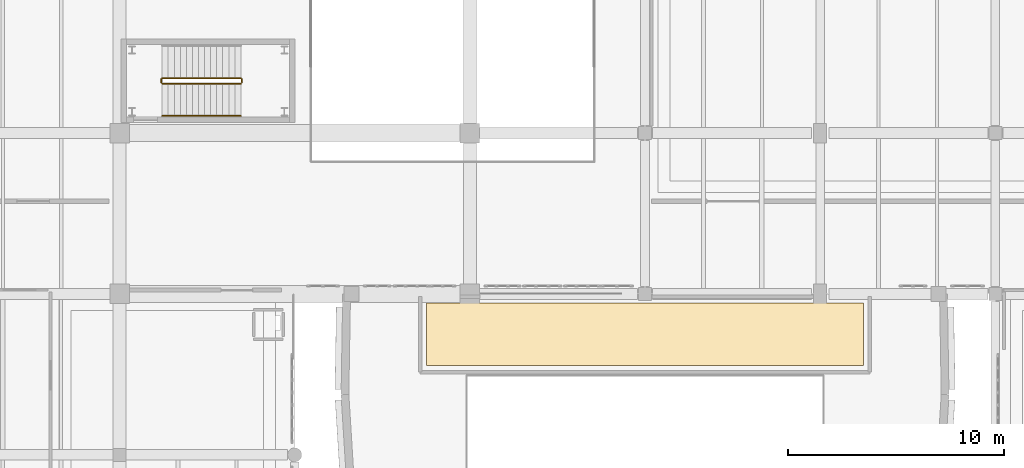
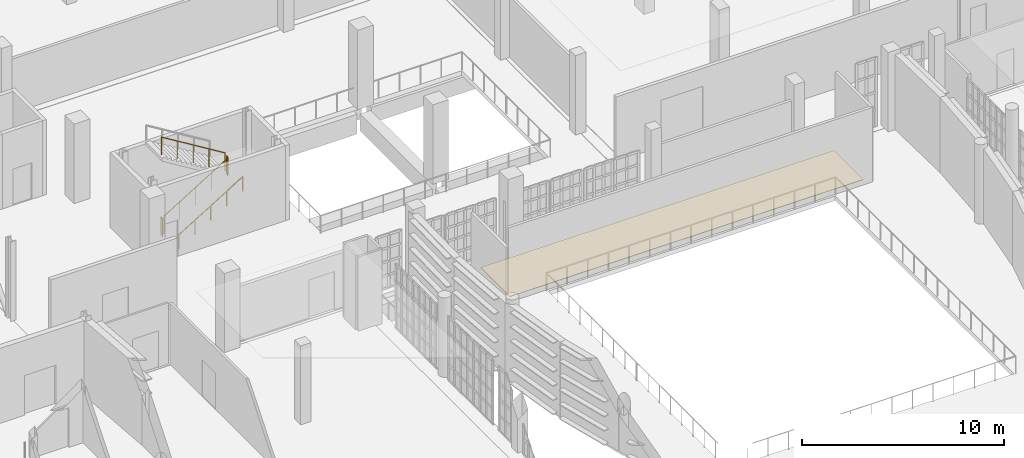
# One storey, part 100 of 104: 5 railings, 1 covering.
"""IFC4 building model written with IfcOpenShell, lengths in metres."""

from ifc_helpers import new_model, si_unit, direction, frame, origin, origin_2d, place, context, subcontext, project, spatial, polyline, circle, outline, extrude, material, layer, layer_set, type_object, element, save


model = new_model("IFC4")

# Units and contexts
model_context = context("Model", 3, precision=1e-05, world=origin(), true_north=direction((0.0, 1.0)))
body_context = subcontext(model_context, "Body", "Model", "MODEL_VIEW")
ifc_project = project(units=[si_unit("LENGTHUNIT", "METRE"), si_unit("AREAUNIT", "SQUARE_METRE"), si_unit("VOLUMEUNIT", "CUBIC_METRE"), si_unit("PLANEANGLEUNIT", "RADIAN"), si_unit("MASSUNIT", "GRAM", prefix="KILO")], contexts=[model_context])

# Site, building, storey
site_placement = place(None, origin())
site = spatial("IfcSite", under=ifc_project, at=site_placement, CompositionType="ELEMENT")
building_placement = place(site_placement, origin())
building = spatial("IfcBuilding", under=site, at=building_placement, Name="Kaelora Sail Theatre", CompositionType="ELEMENT")
storey_placement = place(building_placement, frame((0.0, 0.0, 5.39990234375)))
storey = spatial("IfcBuildingStorey", under=building, at=storey_placement, Name="L01", CompositionType="ELEMENT", Elevation=5.39990234375)

# Covering
ifc_material_1 = material(Name="Sprung West African iroko stage and dance floor", Category="timber")
ifc_layer = layer(ifc_material_1, 0.028076171875)
ifc_layer_set = layer_set([ifc_layer], Name="Sprung West African iroko stage and dance floor")
covering_type = type_object("IfcCoveringType", Name="ARC-COV-FLR-OAK-28", PredefinedType="FLOORING", material=ifc_layer_set)
covering_placement = place(storey_placement, origin())
element("IfcCovering", 1, at=covering_placement, inside=storey, type_object=covering_type, Name="Architectural flooring L01-GAL-STUD", PredefinedType="FLOORING", context=body_context, shape_type="SweptSolid", body=[
    extrude(outline(polyline([(80.5, 57.699951171875), (100.699951171875, 57.699951171875), (100.699951171875, 60.60009765625), (80.5, 60.60009765625), (80.5, 57.699951171875)])), origin(), (0.0, 0.0, 1.0), 0.028076171875),
])

# Railings
ifc_material_2 = material(Name="Painted steel and laminated safety glass guard", Category="steel")
railing_type_1 = type_object("IfcRailingType", Name="ARC-RL-GRD", PredefinedType="GUARDRAIL", material=ifc_material_2)
railing_1_placement = place(storey_placement, frame((68.27001953125, 70.75, 0.171630859375)))
element("IfcRailing", 2, at=railing_1_placement, inside=storey, type_object=railing_type_1, Name="L01 ST-F1 stair guard 1", PredefinedType="GUARDRAIL", context=body_context, shape_type="SweptSolid", body=[
    extrude(circle(Radius=0.02392578125, at=origin_2d()), frame((0.0, 0.0, 1.076171875), z_axis=(0.852850264322, 0.0, 0.5221555579), x_axis=(0.0, 1.0, 0.0)), (0.0, 0.0, 1.0), 4.267822265625),
    extrude(circle(Radius=0.02099609375, at=origin_2d()), origin(), (0.0, 0.0, 1.0), 1.052001953125),
    extrude(circle(Radius=0.02099609375, at=origin_2d()), frame((0.909912109375, 0.0, 0.55712890625)), (0.0, 0.0, 1.0), 1.052001953125),
    extrude(circle(Radius=0.02099609375, at=origin_2d()), frame((1.81982421875, 0.0, 1.1142578125)), (0.0, 0.0, 1.0), 1.052001953125),
    extrude(circle(Radius=0.02099609375, at=origin_2d()), frame((2.72998046875, 0.0, 1.67138671875)), (0.0, 0.0, 1.0), 1.052001953125),
    extrude(circle(Radius=0.02099609375, at=origin_2d()), frame((3.639892578125, 0.0, 2.228515625)), (0.0, 0.0, 1.0), 1.052001953125),
])
railing_2_placement = place(storey_placement, frame((71.9599609375, 70.800048828125, 2.400146484375)))
element("IfcRailing", 3, at=railing_2_placement, inside=storey, type_object=railing_type_1, Name="L01 ST-F1 stair guard 2", PredefinedType="GUARDRAIL", context=body_context, shape_type="SweptSolid", body=[
    extrude(circle(Radius=0.02392578125, at=origin_2d()), frame((0.0, 0.0, 1.076171875), z_axis=(0.0, 1.0, 0.0), x_axis=(-1.0, 0.0, 0.0)), (0.0, 0.0, 1.0), 0.14990234375),
    extrude(circle(Radius=0.02099609375, at=origin_2d()), origin(), (0.0, 0.0, 1.0), 1.052001953125),
    extrude(circle(Radius=0.02099609375, at=origin_2d()), frame((0.0, 0.14990234375, 0.0)), (0.0, 0.0, 1.0), 1.052001953125),
])
railing_3_placement = place(storey_placement, frame((71.909912109375, 71.0, 2.571533203125)))
element("IfcRailing", 4, at=railing_3_placement, inside=storey, type_object=railing_type_1, Name="L01 ST-F1 stair guard 3", PredefinedType="GUARDRAIL", context=body_context, shape_type="SweptSolid", body=[
    extrude(circle(Radius=0.02392578125, at=origin_2d()), frame((0.0, 0.0, 1.076171875), z_axis=(-0.852850264322, 0.0, 0.5221555579), x_axis=(0.0, -1.0, 0.0)), (0.0, 0.0, 1.0), 4.267822265625),
    extrude(circle(Radius=0.02099609375, at=origin_2d()), origin(), (0.0, 0.0, 1.0), 1.052001953125),
    extrude(circle(Radius=0.02099609375, at=origin_2d()), frame((-0.909912109375, 0.0, 0.55712890625)), (0.0, 0.0, 1.0), 1.052001953125),
    extrude(circle(Radius=0.02099609375, at=origin_2d()), frame((-1.81982421875, 0.0, 1.1142578125)), (0.0, 0.0, 1.0), 1.052001953125),
    extrude(circle(Radius=0.02099609375, at=origin_2d()), frame((-2.72998046875, 0.0, 1.67138671875)), (0.0, 0.0, 1.0), 1.052001953125),
    extrude(circle(Radius=0.02099609375, at=origin_2d()), frame((-3.639892578125, 0.0, 2.228515625)), (0.0, 0.0, 1.0), 1.052001953125),
])
railing_4_placement = place(storey_placement, frame((68.219970703125, 70.800048828125, 0.0)))
element("IfcRailing", 5, at=railing_4_placement, inside=storey, type_object=railing_type_1, Name="L01 ST-F1 stair guard 4", PredefinedType="GUARDRAIL", context=body_context, shape_type="SweptSolid", body=[
    extrude(circle(Radius=0.02392578125, at=origin_2d()), frame((0.0, 0.0, 1.076171875), z_axis=(0.0, 1.0, 0.0), x_axis=(-1.0, 0.0, 0.0)), (0.0, 0.0, 1.0), 0.14990234375),
    extrude(circle(Radius=0.02099609375, at=origin_2d()), origin(), (0.0, 0.0, 1.0), 1.052001953125),
    extrude(circle(Radius=0.02099609375, at=origin_2d()), frame((0.0, 0.14990234375, 0.0)), (0.0, 0.0, 1.0), 1.052001953125),
])
ifc_material_3 = material(Name="Brushed stainless steel 316L tubular handrail", Category="steel")
railing_type_2 = type_object("IfcRailingType", Name="ARC-RL-HND", PredefinedType="HANDRAIL", material=ifc_material_3)
railing_5_placement = place(storey_placement, frame((68.27001953125, 69.25, 0.171630859375)))
element("IfcRailing", 6, at=railing_5_placement, inside=storey, type_object=railing_type_2, Name="L01 ST-F1 stair handrail 1", PredefinedType="HANDRAIL", context=body_context, shape_type="SweptSolid", body=[
    extrude(circle(Radius=0.02392578125, at=origin_2d()), frame((0.0, 0.0, 0.8759765625), z_axis=(0.852850264322, 0.0, 0.5221555579), x_axis=(0.0, 1.0, 0.0)), (0.0, 0.0, 1.0), 4.267822265625),
    extrude(circle(Radius=0.02099609375, at=origin_2d()), origin(), (0.0, 0.0, 1.0), 0.851806640625),
    extrude(circle(Radius=0.02099609375, at=origin_2d()), frame((0.909912109375, 0.0, 0.55712890625)), (0.0, 0.0, 1.0), 0.851806640625),
    extrude(circle(Radius=0.02099609375, at=origin_2d()), frame((1.81982421875, 0.0, 1.1142578125)), (0.0, 0.0, 1.0), 0.851806640625),
    extrude(circle(Radius=0.02099609375, at=origin_2d()), frame((2.72998046875, 0.0, 1.67138671875)), (0.0, 0.0, 1.0), 0.851806640625),
    extrude(circle(Radius=0.02099609375, at=origin_2d()), frame((3.639892578125, 0.0, 2.228515625)), (0.0, 0.0, 1.0), 0.851806640625),
])

save(model, "model.ifc")
